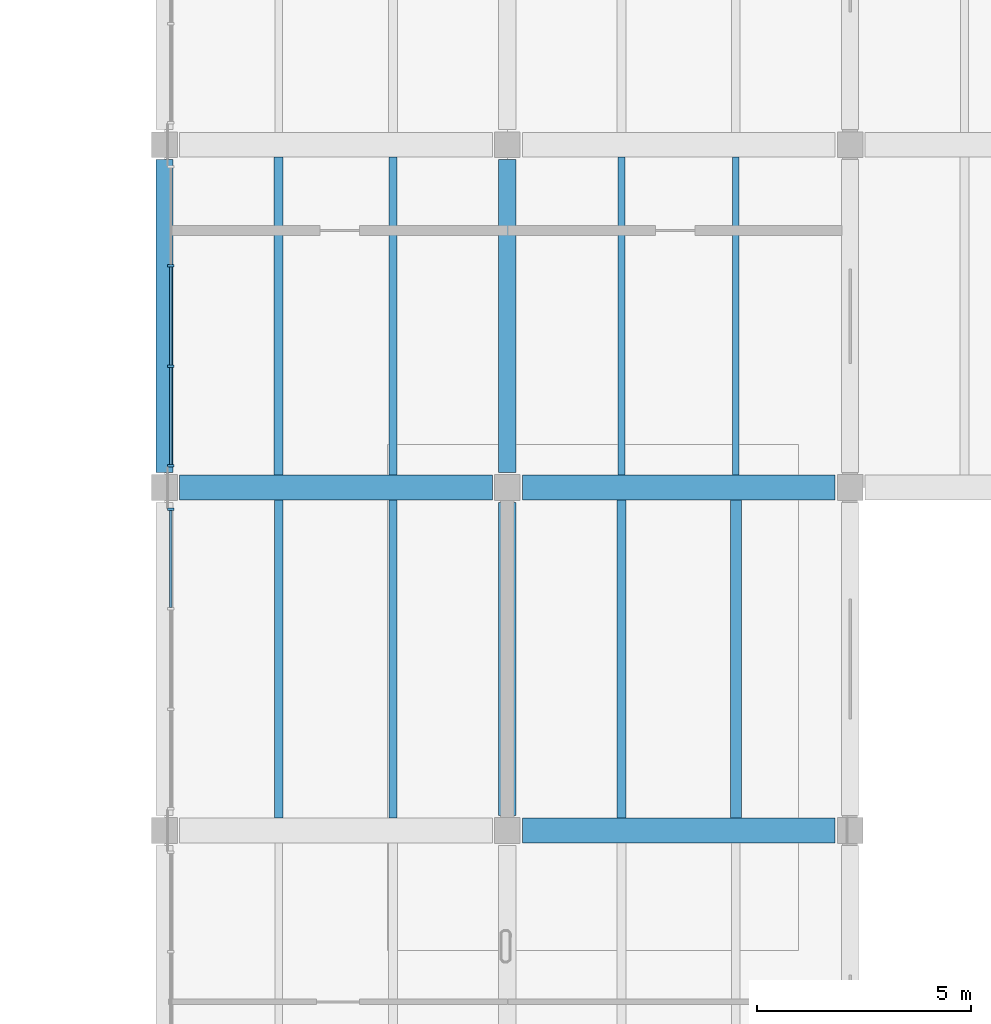
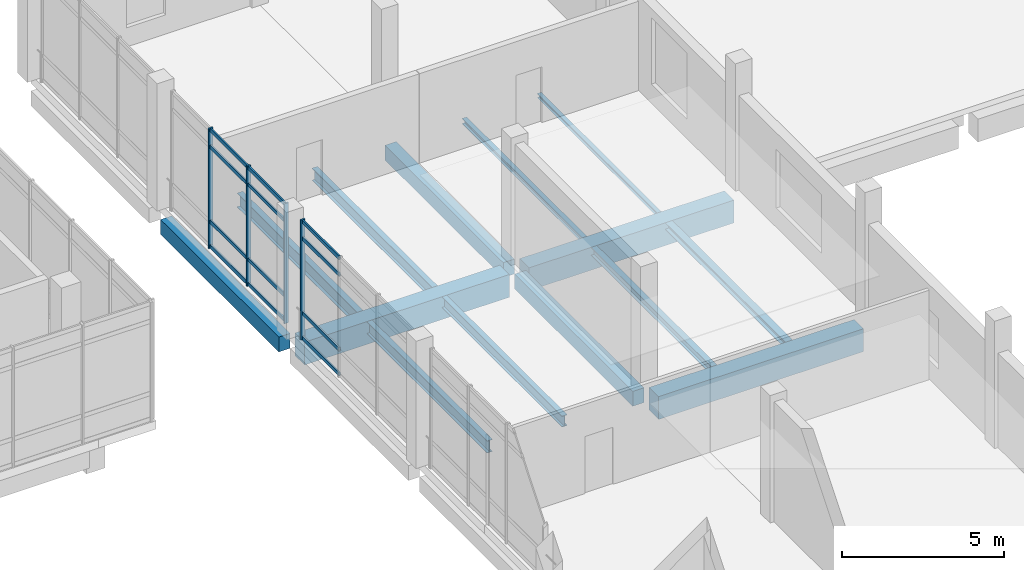
# One storey, part 17 of 47: 16 members, 14 beams, 2 elements without a shape of their own.
"""IFC4 building model written with IfcOpenShell, lengths in metres."""

from ifc_helpers import new_model, si_unit, direction, frame, origin, origin_2d, place, context, subcontext, project, spatial, rectangle, i_section, extrude, material, material_profile, profile_set, type_object, element, aggregate, save


model = new_model("IFC4")

# Units and contexts
model_context = context("Model", 3, precision=1e-05, world=origin(), true_north=direction((0.0, 1.0)))
body_context = subcontext(model_context, "Body", "Model", "MODEL_VIEW")
ifc_project = project(units=[si_unit("LENGTHUNIT", "METRE"), si_unit("AREAUNIT", "SQUARE_METRE"), si_unit("VOLUMEUNIT", "CUBIC_METRE"), si_unit("PLANEANGLEUNIT", "RADIAN"), si_unit("MASSUNIT", "GRAM", prefix="KILO")], contexts=[model_context])

# Site, building, storey
site_placement = place(None, origin())
site = spatial("IfcSite", under=ifc_project, at=site_placement, CompositionType="ELEMENT")
building_placement = place(site_placement, origin())
building = spatial("IfcBuilding", under=site, at=building_placement, Name="Pecanmere Concourse Central Library", CompositionType="ELEMENT")
storey_placement = place(building_placement, frame((0.0, 0.0, 15.300048828125)))
storey = spatial("IfcBuildingStorey", under=building, at=storey_placement, Name="L04", CompositionType="ELEMENT", Elevation=15.300048828125)

# Beams
ifc_material_1 = material(Name="Concrete C40/50", Category="concrete")
ifc_material_profile_1 = material_profile(ifc_material_1, rectangle(XDim=0.39990234375, YDim=0.56005859375, at=origin_2d()), Name="RC 400x560")
ifc_profile_set_1 = profile_set([ifc_material_profile_1], Name="Concrete C40/50")
beam_type_1 = type_object("IfcBeamType", Name="BM_400x560", PredefinedType="BEAM", material=ifc_profile_set_1)
for number, where, z_axis, x_axis, name in (
    (1, (112.0, 90.35009765625, -0.60009765625), (0.0, 1.0, 0.0), (-1.0, 0.0, 0.0), "Primary Girder Y L04-2294"),
    (2, (120.0, 82.35009765625, -0.60009765625), (0.0, 1.0, 0.0), (-1.0, 0.0, 0.0), "Primary Girder Y L04-2300"),
    (3, (120.0, 90.35009765625, -0.60009765625), (0.0, 1.0, 0.0), (-1.0, 0.0, 0.0), "Primary Girder Y L04-2301"),
):
    element("IfcBeam", number, at=place(storey_placement, frame(where, z_axis=z_axis, x_axis=x_axis)), inside=storey, type_object=beam_type_1, Name=name, PredefinedType="BEAM", context=body_context, shape_type="SweptSolid", body=[
        extrude(rectangle(XDim=0.39990234375, YDim=0.56005859375, at=origin_2d()), origin(), (0.0, 0.0, 1.0), 7.2998046875),
    ])

# Curtain wall, member
ifc_material_2 = material(Name="Clear anodized aluminium alloy 6063-T6", Category="aluminium")
curtain_wall_type = type_object("IfcCurtainWallType", Name="CW_CLOISTER_GLAZ", PredefinedType="USERDEFINED", material=ifc_material_2)
curtain_wall_1_placement = place(storey_placement, origin())
curtain_wall_1 = element("IfcCurtainWall", 4, at=curtain_wall_1_placement, inside=storey, type_object=curtain_wall_type, Name="Unitised Curtain Wall CW-04 L04-147", ObjectType="UNITISED CURTAIN WALL", PredefinedType="USERDEFINED")
ifc_material_3 = material(Name="Clear anodized aluminium alloy 6063-T6", Category="aluminium")
ifc_material_profile_2 = material_profile(ifc_material_3, rectangle(XDim=0.06005859375, YDim=0.14990234375, at=origin_2d()), Name="AL 60x150")
ifc_profile_set_2 = profile_set([ifc_material_profile_2], Name="Clear anodized aluminium alloy 6063-T6")
member_type_1 = type_object("IfcMemberType", Name="CWM_150x60", PredefinedType="MULLION", material=ifc_profile_set_2)
member_1_placement = place(storey_placement, frame((112.14990234375, 89.489990234375, 0.0), z_axis=(0.0, 0.0, 1.0), x_axis=(0.0, -1.0, 0.0)))
member_1 = element("IfcMember", 5, at=member_1_placement, type_object=member_type_1, Name="CW-04 Mullion 1", PredefinedType="MULLION", context=body_context, shape_type="SweptSolid", body=[
    extrude(rectangle(XDim=0.06005859375, YDim=0.14990234375, at=origin_2d()), origin(), (0.0, 0.0, 1.0), 4.52001953125),
])

# Curtain wall, members
curtain_wall_2_placement = place(storey_placement, origin())
curtain_wall_2 = element("IfcCurtainWall", 6, at=curtain_wall_2_placement, inside=storey, type_object=curtain_wall_type, Name="Unitised Curtain Wall CW-04 L04-149", ObjectType="UNITISED CURTAIN WALL", PredefinedType="USERDEFINED")
member_2_placement = place(storey_placement, frame((112.14990234375, 95.17333984375, 0.0), z_axis=(0.0, 0.0, 1.0), x_axis=(0.0, -1.0, 0.0)))
member_2 = element("IfcMember", 7, at=member_2_placement, type_object=member_type_1, Name="CW-04 Mullion 2", PredefinedType="MULLION", context=body_context, shape_type="SweptSolid", body=[
    extrude(rectangle(XDim=0.06005859375, YDim=0.14990234375, at=origin_2d()), origin(), (0.0, 0.0, 1.0), 4.52001953125),
])
member_3_placement = place(storey_placement, frame((112.14990234375, 92.82666015625, 0.0), z_axis=(0.0, 0.0, 1.0), x_axis=(0.0, -1.0, 0.0)))
member_3 = element("IfcMember", 8, at=member_3_placement, type_object=member_type_1, Name="CW-04 Mullion 3", PredefinedType="MULLION", context=body_context, shape_type="SweptSolid", body=[
    extrude(rectangle(XDim=0.06005859375, YDim=0.14990234375, at=origin_2d()), origin(), (0.0, 0.0, 1.0), 4.52001953125),
])
member_4_placement = place(storey_placement, frame((112.14990234375, 90.510009765625, 0.0), z_axis=(0.0, 0.0, 1.0), x_axis=(0.0, -1.0, 0.0)))
member_4 = element("IfcMember", 9, at=member_4_placement, type_object=member_type_1, Name="CW-04 Mullion 4", PredefinedType="MULLION", context=body_context, shape_type="SweptSolid", body=[
    extrude(rectangle(XDim=0.06005859375, YDim=0.14990234375, at=origin_2d()), origin(), (0.0, 0.0, 1.0), 4.52001953125),
])

# Member
ifc_material_4 = material(Name="Clear anodized aluminium alloy 6063-T6", Category="aluminium")
ifc_material_profile_3 = material_profile(ifc_material_4, rectangle(XDim=0.054931640625, YDim=0.139892578125, at=origin_2d()), Name="AL 55x140")
ifc_profile_set_3 = profile_set([ifc_material_profile_3], Name="Clear anodized aluminium alloy 6063-T6")
member_type_2 = type_object("IfcMemberType", Name="CWT_140x55", PredefinedType="USERDEFINED", material=ifc_profile_set_3)
member_5_placement = place(storey_placement, frame((112.14990234375, 89.4599609375, 0.070068359375), z_axis=(0.0, -1.0, 0.0), x_axis=(1.0, 0.0, 0.0)))
member_5 = element("IfcMember", 10, at=member_5_placement, type_object=member_type_2, Name="CW-04 Transom 1.1", ObjectType="TRANSOM", PredefinedType="USERDEFINED", context=body_context, shape_type="SweptSolid", body=[
    extrude(rectangle(XDim=0.054931640625, YDim=0.139892578125, at=origin_2d()), origin(), (0.0, 0.0, 1.0), 2.256591796875),
])

member_6_placement = place(storey_placement, frame((112.14990234375, 89.4599609375, 1.0), z_axis=(0.0, -1.0, 0.0), x_axis=(1.0, 0.0, 0.0)))
member_6 = element("IfcMember", 11, at=member_6_placement, type_object=member_type_2, Name="CW-04 Transom 1.2", ObjectType="TRANSOM", PredefinedType="USERDEFINED", context=body_context, shape_type="SweptSolid", body=[
    extrude(rectangle(XDim=0.054931640625, YDim=0.139892578125, at=origin_2d()), origin(), (0.0, 0.0, 1.0), 2.256591796875),
])

member_7_placement = place(storey_placement, frame((112.14990234375, 89.4599609375, 3.820068359375), z_axis=(0.0, -1.0, 0.0), x_axis=(1.0, 0.0, 0.0)))
member_7 = element("IfcMember", 12, at=member_7_placement, type_object=member_type_2, Name="CW-04 Transom 1.3", ObjectType="TRANSOM", PredefinedType="USERDEFINED", context=body_context, shape_type="SweptSolid", body=[
    extrude(rectangle(XDim=0.054931640625, YDim=0.139892578125, at=origin_2d()), origin(), (0.0, 0.0, 1.0), 2.256591796875),
])

member_8_placement = place(storey_placement, frame((112.14990234375, 89.4599609375, 4.449951171875), z_axis=(0.0, -1.0, 0.0), x_axis=(1.0, 0.0, 0.0)))
member_8 = element("IfcMember", 13, at=member_8_placement, type_object=member_type_2, Name="CW-04 Transom 1.4", ObjectType="TRANSOM", PredefinedType="USERDEFINED", context=body_context, shape_type="SweptSolid", body=[
    extrude(rectangle(XDim=0.054931640625, YDim=0.139892578125, at=origin_2d()), origin(), (0.0, 0.0, 1.0), 2.256591796875),
])

aggregate(curtain_wall_1, [member_1, member_5, member_6, member_7, member_8])

member_9_placement = place(storey_placement, frame((112.14990234375, 95.143310546875, 0.070068359375), z_axis=(0.0, -1.0, 0.0), x_axis=(1.0, 0.0, 0.0)))
member_9 = element("IfcMember", 14, at=member_9_placement, type_object=member_type_2, Name="CW-04 Transom 2.1", ObjectType="TRANSOM", PredefinedType="USERDEFINED", context=body_context, shape_type="SweptSolid", body=[
    extrude(rectangle(XDim=0.054931640625, YDim=0.139892578125, at=origin_2d()), origin(), (0.0, 0.0, 1.0), 2.28662109375),
])

member_10_placement = place(storey_placement, frame((112.14990234375, 95.143310546875, 1.0), z_axis=(0.0, -1.0, 0.0), x_axis=(1.0, 0.0, 0.0)))
member_10 = element("IfcMember", 15, at=member_10_placement, type_object=member_type_2, Name="CW-04 Transom 2.2", ObjectType="TRANSOM", PredefinedType="USERDEFINED", context=body_context, shape_type="SweptSolid", body=[
    extrude(rectangle(XDim=0.054931640625, YDim=0.139892578125, at=origin_2d()), origin(), (0.0, 0.0, 1.0), 2.28662109375),
])

member_11_placement = place(storey_placement, frame((112.14990234375, 95.143310546875, 3.820068359375), z_axis=(0.0, -1.0, 0.0), x_axis=(1.0, 0.0, 0.0)))
member_11 = element("IfcMember", 16, at=member_11_placement, type_object=member_type_2, Name="CW-04 Transom 2.3", ObjectType="TRANSOM", PredefinedType="USERDEFINED", context=body_context, shape_type="SweptSolid", body=[
    extrude(rectangle(XDim=0.054931640625, YDim=0.139892578125, at=origin_2d()), origin(), (0.0, 0.0, 1.0), 2.28662109375),
])

member_12_placement = place(storey_placement, frame((112.14990234375, 95.143310546875, 4.449951171875), z_axis=(0.0, -1.0, 0.0), x_axis=(1.0, 0.0, 0.0)))
member_12 = element("IfcMember", 17, at=member_12_placement, type_object=member_type_2, Name="CW-04 Transom 2.4", ObjectType="TRANSOM", PredefinedType="USERDEFINED", context=body_context, shape_type="SweptSolid", body=[
    extrude(rectangle(XDim=0.054931640625, YDim=0.139892578125, at=origin_2d()), origin(), (0.0, 0.0, 1.0), 2.28662109375),
])

member_13_placement = place(storey_placement, frame((112.14990234375, 92.796630859375, 0.070068359375), z_axis=(0.0, -1.0, 0.0), x_axis=(1.0, 0.0, 0.0)))
member_13 = element("IfcMember", 18, at=member_13_placement, type_object=member_type_2, Name="CW-04 Transom 3.1", ObjectType="TRANSOM", PredefinedType="USERDEFINED", context=body_context, shape_type="SweptSolid", body=[
    extrude(rectangle(XDim=0.054931640625, YDim=0.139892578125, at=origin_2d()), origin(), (0.0, 0.0, 1.0), 2.256591796875),
])

member_14_placement = place(storey_placement, frame((112.14990234375, 92.796630859375, 1.0), z_axis=(0.0, -1.0, 0.0), x_axis=(1.0, 0.0, 0.0)))
member_14 = element("IfcMember", 19, at=member_14_placement, type_object=member_type_2, Name="CW-04 Transom 3.2", ObjectType="TRANSOM", PredefinedType="USERDEFINED", context=body_context, shape_type="SweptSolid", body=[
    extrude(rectangle(XDim=0.054931640625, YDim=0.139892578125, at=origin_2d()), origin(), (0.0, 0.0, 1.0), 2.256591796875),
])

member_15_placement = place(storey_placement, frame((112.14990234375, 92.796630859375, 3.820068359375), z_axis=(0.0, -1.0, 0.0), x_axis=(1.0, 0.0, 0.0)))
member_15 = element("IfcMember", 20, at=member_15_placement, type_object=member_type_2, Name="CW-04 Transom 3.3", ObjectType="TRANSOM", PredefinedType="USERDEFINED", context=body_context, shape_type="SweptSolid", body=[
    extrude(rectangle(XDim=0.054931640625, YDim=0.139892578125, at=origin_2d()), origin(), (0.0, 0.0, 1.0), 2.256591796875),
])

member_16_placement = place(storey_placement, frame((112.14990234375, 92.796630859375, 4.449951171875), z_axis=(0.0, -1.0, 0.0), x_axis=(1.0, 0.0, 0.0)))
member_16 = element("IfcMember", 21, at=member_16_placement, type_object=member_type_2, Name="CW-04 Transom 3.4", ObjectType="TRANSOM", PredefinedType="USERDEFINED", context=body_context, shape_type="SweptSolid", body=[
    extrude(rectangle(XDim=0.054931640625, YDim=0.139892578125, at=origin_2d()), origin(), (0.0, 0.0, 1.0), 2.256591796875),
])

aggregate(curtain_wall_2, [member_2, member_3, member_4, member_9, member_10, member_11, member_12, member_13, member_14, member_15, member_16])

# Beams
ifc_material_5 = material(Name="Concrete C40/50", Category="concrete")
ifc_material_profile_4 = material_profile(ifc_material_5, rectangle(XDim=0.580078125, YDim=0.860107421875, at=origin_2d()), Name="RC 580x860")
ifc_profile_set_4 = profile_set([ifc_material_profile_4], Name="Concrete C40/50")
beam_type_2 = type_object("IfcBeamType", Name="GRD_580x860", PredefinedType="USERDEFINED", material=ifc_profile_set_4)
for number, where, z_axis, x_axis, name in (
    (22, (120.35009765625, 82.0, -0.75), (1.0, 0.0, 0.0), (0.0, 1.0, 0.0), "Primary Girder X L04-2178"),
    (23, (112.35009765625, 90.0, -0.75), (1.0, 0.0, 0.0), (0.0, 1.0, 0.0), "Primary Girder X L04-2187"),
    (24, (120.35009765625, 90.0, -0.75), (1.0, 0.0, 0.0), (0.0, 1.0, 0.0), "Primary Girder X L04-2188"),
):
    element("IfcBeam", number, at=place(storey_placement, frame(where, z_axis=z_axis, x_axis=x_axis)), inside=storey, type_object=beam_type_2, Name=name, ObjectType="GIRDER", PredefinedType="USERDEFINED", context=body_context, shape_type="SweptSolid", body=[
        extrude(rectangle(XDim=0.580078125, YDim=0.860107421875, at=origin_2d()), origin(), (0.0, 0.0, 1.0), 7.2998046875),
    ])
ifc_material_6 = material(Name="Structural steel ASTM A992 Grade 50", Category="steel")
ifc_material_profile_5 = material_profile(ifc_material_6, i_section(OverallWidth=0.152099609375, OverallDepth=0.152099609375, WebThickness=0.005859375, FlangeThickness=0.006591796875, at=origin_2d()), Name="W150x22.5")
ifc_profile_set_5 = profile_set([ifc_material_profile_5], Name="Structural steel ASTM A992 Grade 50")
beam_type_3 = type_object("IfcBeamType", Name="SBM_W150x22", PredefinedType="LINTEL", material=ifc_profile_set_5)
beam_1_placement = place(storey_placement, frame((125.333251953125, 90.2900390625, -0.39599609375), z_axis=(0.0, 1.0, 0.0), x_axis=(-1.0, 0.0, 0.0)))
element("IfcBeam", 25, at=beam_1_placement, inside=storey, type_object=beam_type_3, Name="Secondary Floor Joist L04-2423", PredefinedType="LINTEL", context=body_context, shape_type="SweptSolid", body=[
    extrude(i_section(OverallWidth=0.152099609375, OverallDepth=0.152099609375, WebThickness=0.005859375, FlangeThickness=0.006591796875, at=origin_2d()), origin(), (0.0, 0.0, 1.0), 7.419921875),
])
ifc_material_7 = material(Name="Structural steel ASTM A992 Grade 50", Category="steel")
ifc_material_profile_6 = material_profile(ifc_material_7, i_section(OverallWidth=0.1650390625, OverallDepth=0.200927734375, WebThickness=0.006103515625, FlangeThickness=0.01025390625, at=origin_2d()), Name="W200x35.9")
ifc_profile_set_6 = profile_set([ifc_material_profile_6], Name="Structural steel ASTM A992 Grade 50")
beam_type_4 = type_object("IfcBeamType", Name="SBM_W200x36", PredefinedType="LINTEL", material=ifc_profile_set_6)
beam_2_placement = place(storey_placement, frame((122.666748046875, 90.2900390625, -0.420654296875), z_axis=(0.0, 1.0, 0.0), x_axis=(-1.0, 0.0, 0.0)))
element("IfcBeam", 26, at=beam_2_placement, inside=storey, type_object=beam_type_4, Name="Secondary Floor Joist L04-2422", PredefinedType="LINTEL", context=body_context, shape_type="SweptSolid", body=[
    extrude(i_section(OverallWidth=0.1650390625, OverallDepth=0.200927734375, WebThickness=0.006103515625, FlangeThickness=0.01025390625, at=origin_2d()), origin(), (0.0, 0.0, 1.0), 7.419921875),
])
ifc_material_8 = material(Name="Structural steel ASTM A992 Grade 50", Category="steel")
ifc_material_profile_7 = material_profile(ifc_material_8, i_section(OverallWidth=0.25390625, OverallDepth=0.2529296875, WebThickness=0.008544921875, FlangeThickness=0.01416015625, at=origin_2d()), Name="W250x73")
ifc_profile_set_7 = profile_set([ifc_material_profile_7], Name="Structural steel ASTM A992 Grade 50")
beam_type_5 = type_object("IfcBeamType", Name="SBM_W250x73", PredefinedType="BEAM", material=ifc_profile_set_7)
beam_3_placement = place(storey_placement, frame((125.333251953125, 82.2900390625, -0.446533203125), z_axis=(0.0, 1.0, 0.0), x_axis=(-1.0, 0.0, 0.0)))
element("IfcBeam", 27, at=beam_3_placement, inside=storey, type_object=beam_type_5, Name="Secondary Floor Joist L04-2421", PredefinedType="BEAM", context=body_context, shape_type="SweptSolid", body=[
    extrude(i_section(OverallWidth=0.25390625, OverallDepth=0.2529296875, WebThickness=0.008544921875, FlangeThickness=0.01416015625, at=origin_2d()), origin(), (0.0, 0.0, 1.0), 7.419921875),
])
ifc_material_9 = material(Name="Structural steel ASTM A992 Grade 50", Category="steel")
ifc_material_profile_8 = material_profile(ifc_material_9, i_section(OverallWidth=0.205078125, OverallDepth=0.31005859375, WebThickness=0.009521484375, FlangeThickness=0.016357421875, at=origin_2d()), Name="W310x74")
ifc_profile_set_8 = profile_set([ifc_material_profile_8], Name="Structural steel ASTM A992 Grade 50")
beam_type_6 = type_object("IfcBeamType", Name="SBM_W310x74", PredefinedType="BEAM", material=ifc_profile_set_8)
beam_4_placement = place(storey_placement, frame((122.666748046875, 82.2900390625, -0.47509765625), z_axis=(0.0, 1.0, 0.0), x_axis=(-1.0, 0.0, 0.0)))
element("IfcBeam", 28, at=beam_4_placement, inside=storey, type_object=beam_type_6, Name="Secondary Floor Joist L04-2420", PredefinedType="BEAM", context=body_context, shape_type="SweptSolid", body=[
    extrude(i_section(OverallWidth=0.205078125, OverallDepth=0.31005859375, WebThickness=0.009521484375, FlangeThickness=0.016357421875, at=origin_2d()), origin(), (0.0, 0.0, 1.0), 7.419921875),
])
ifc_material_10 = material(Name="Structural steel ASTM A992 Grade 50", Category="steel")
ifc_material_profile_9 = material_profile(ifc_material_10, i_section(OverallWidth=0.180908203125, OverallDepth=0.4169921875, WebThickness=0.010986328125, FlangeThickness=0.018310546875, at=origin_2d()), Name="W410x85")
ifc_profile_set_9 = profile_set([ifc_material_profile_9], Name="Structural steel ASTM A992 Grade 50")
beam_type_7 = type_object("IfcBeamType", Name="SBM_W410x85", PredefinedType="BEAM", material=ifc_profile_set_9)
beam_5_placement = place(storey_placement, frame((117.333251953125, 82.2900390625, -0.528564453125), z_axis=(0.0, 1.0, 0.0), x_axis=(-1.0, 0.0, 0.0)))
element("IfcBeam", 29, at=beam_5_placement, inside=storey, type_object=beam_type_7, Name="Secondary Floor Joist L04-2407", PredefinedType="BEAM", context=body_context, shape_type="SweptSolid", body=[
    extrude(i_section(OverallWidth=0.180908203125, OverallDepth=0.4169921875, WebThickness=0.010986328125, FlangeThickness=0.018310546875, at=origin_2d()), origin(), (0.0, 0.0, 1.0), 7.419921875),
])
ifc_material_11 = material(Name="Structural steel ASTM A992 Grade 50", Category="steel")
ifc_material_profile_10 = material_profile(ifc_material_11, i_section(OverallWidth=0.194091796875, OverallDepth=0.468994140625, WebThickness=0.0126953125, FlangeThickness=0.0205078125, at=origin_2d()), Name="W460x106")
ifc_profile_set_10 = profile_set([ifc_material_profile_10], Name="Structural steel ASTM A992 Grade 50")
beam_type_8 = type_object("IfcBeamType", Name="SBM_W460x106", PredefinedType="USERDEFINED", material=ifc_profile_set_10)
beam_6_placement = place(storey_placement, frame((117.333251953125, 90.2900390625, -0.554443359375), z_axis=(0.0, 1.0, 0.0), x_axis=(-1.0, 0.0, 0.0)))
element("IfcBeam", 30, at=beam_6_placement, inside=storey, type_object=beam_type_8, Name="Secondary Floor Joist L04-2409", ObjectType="GIRDER", PredefinedType="USERDEFINED", context=body_context, shape_type="SweptSolid", body=[
    extrude(i_section(OverallWidth=0.194091796875, OverallDepth=0.468994140625, WebThickness=0.0126953125, FlangeThickness=0.0205078125, at=origin_2d()), origin(), (0.0, 0.0, 1.0), 7.419921875),
])
ifc_material_12 = material(Name="Structural steel ASTM A992 Grade 50", Category="steel")
ifc_material_profile_11 = material_profile(ifc_material_12, i_section(OverallWidth=0.18994140625, OverallDepth=0.45703125, WebThickness=0.009033203125, FlangeThickness=0.014404296875, at=origin_2d()), Name="W460x74")
ifc_profile_set_11 = profile_set([ifc_material_profile_11], Name="Structural steel ASTM A992 Grade 50")
beam_type_9 = type_object("IfcBeamType", Name="SBM_W460x74", PredefinedType="BEAM", material=ifc_profile_set_11)
beam_7_placement = place(storey_placement, frame((114.666748046875, 82.2900390625, -0.548583984375), z_axis=(0.0, 1.0, 0.0), x_axis=(-1.0, 0.0, 0.0)))
element("IfcBeam", 31, at=beam_7_placement, inside=storey, type_object=beam_type_9, Name="Secondary Floor Joist L04-2406", PredefinedType="BEAM", context=body_context, shape_type="SweptSolid", body=[
    extrude(i_section(OverallWidth=0.18994140625, OverallDepth=0.45703125, WebThickness=0.009033203125, FlangeThickness=0.014404296875, at=origin_2d()), origin(), (0.0, 0.0, 1.0), 7.419921875),
])
ifc_material_13 = material(Name="Structural steel ASTM A992 Grade 50", Category="steel")
ifc_material_profile_12 = material_profile(ifc_material_13, i_section(OverallWidth=0.208984375, OverallDepth=0.532958984375, WebThickness=0.01025390625, FlangeThickness=0.015625, at=origin_2d()), Name="W530x92")
ifc_profile_set_12 = profile_set([ifc_material_profile_12], Name="Structural steel ASTM A992 Grade 50")
beam_type_10 = type_object("IfcBeamType", Name="SBM_W530x92", PredefinedType="BEAM", material=ifc_profile_set_12)
beam_8_placement = place(storey_placement, frame((114.666748046875, 90.2900390625, -0.586669921875), z_axis=(0.0, 1.0, 0.0), x_axis=(-1.0, 0.0, 0.0)))
element("IfcBeam", 32, at=beam_8_placement, inside=storey, type_object=beam_type_10, Name="Secondary Floor Joist L04-2408", PredefinedType="BEAM", context=body_context, shape_type="SweptSolid", body=[
    extrude(i_section(OverallWidth=0.208984375, OverallDepth=0.532958984375, WebThickness=0.01025390625, FlangeThickness=0.015625, at=origin_2d()), origin(), (0.0, 0.0, 1.0), 7.419921875),
])

save(model, "model.ifc")
